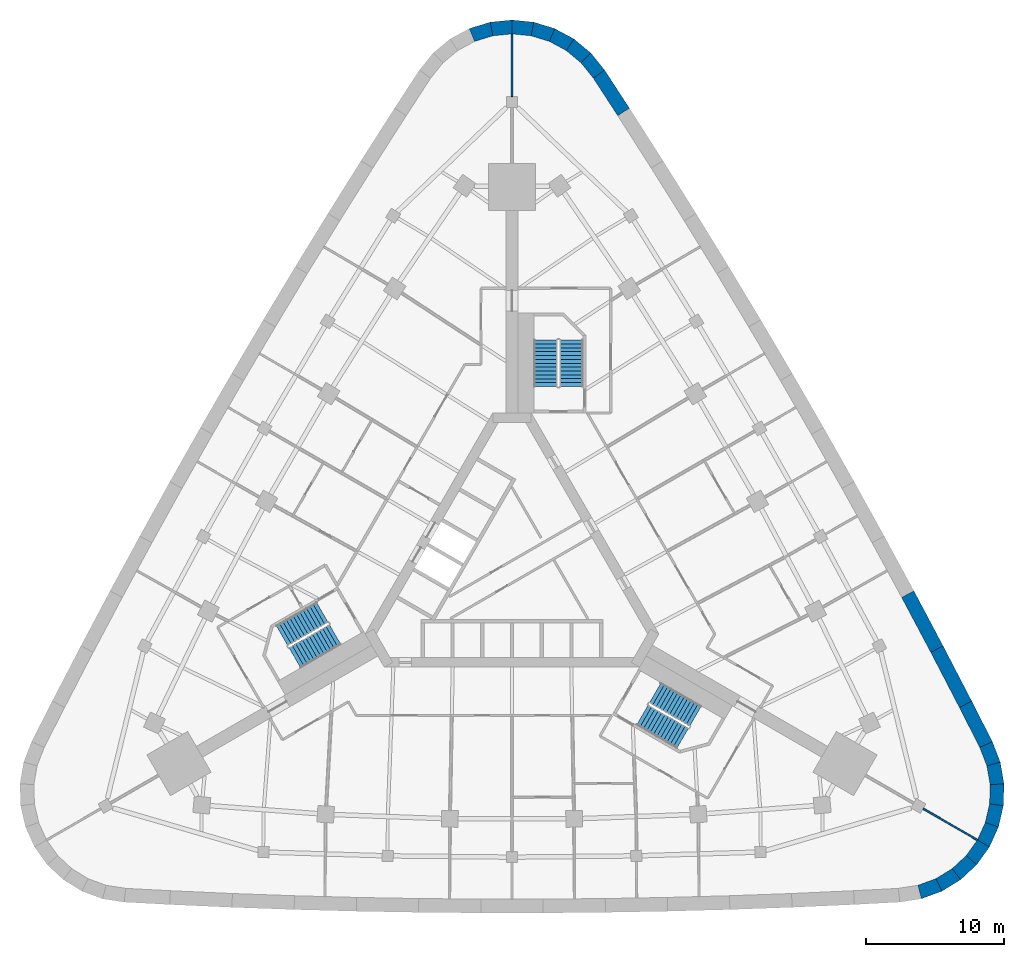
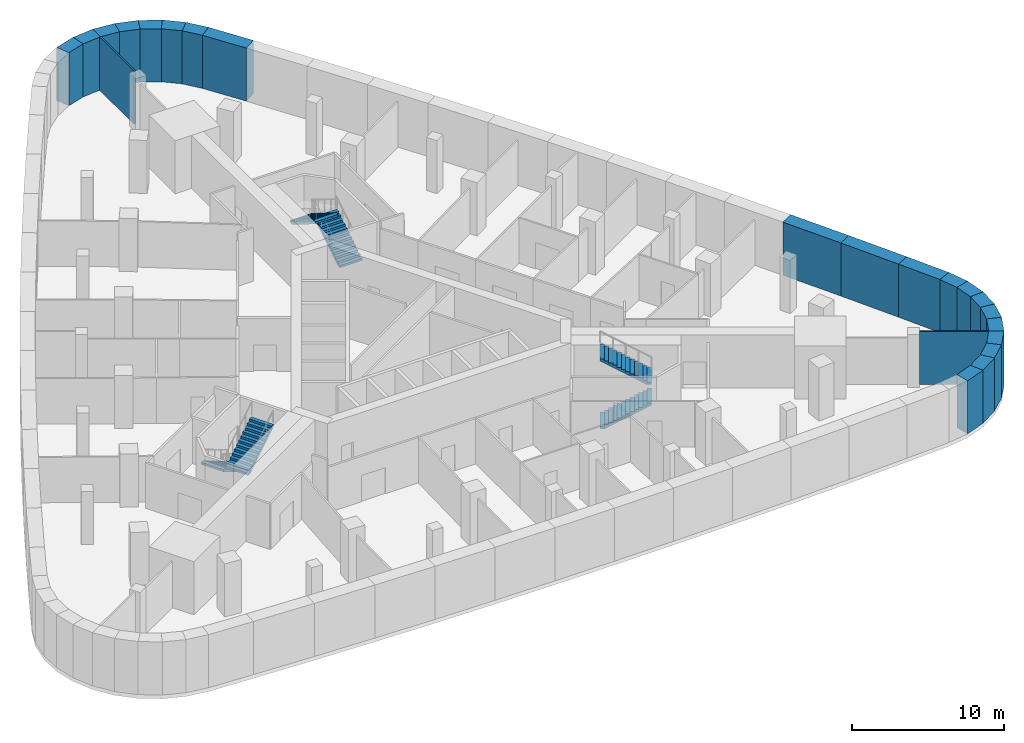
# One storey, part 8 of 9: 22 walls, 6 stair flights, 3 elements without a shape of their own.
"""IFC4 building model written with IfcOpenShell, lengths in metres."""

from ifc_helpers import new_model, si_unit, direction, frame, frame_2d, origin, place, context, subcontext, project, spatial, polyline, rectangle, outline, extrude, material, layer, layer_set, type_object, element, aggregate, save


model = new_model("IFC4")

# Units and contexts
model_context = context("Model", 3, precision=1e-05, world=origin(), true_north=direction((0.0, 1.0)))
body_context = subcontext(model_context, "Body", "Model", "MODEL_VIEW")
ifc_project = project(units=[si_unit("LENGTHUNIT", "METRE"), si_unit("AREAUNIT", "SQUARE_METRE"), si_unit("VOLUMEUNIT", "CUBIC_METRE"), si_unit("PLANEANGLEUNIT", "RADIAN"), si_unit("MASSUNIT", "GRAM", prefix="KILO")], contexts=[model_context])

# Site, building, storey
site_placement = place(None, origin())
site = spatial("IfcSite", under=ifc_project, at=site_placement, CompositionType="ELEMENT")
building_placement = place(site_placement, origin())
building = spatial("IfcBuilding", under=site, at=building_placement, Name="Noor Cloister Tower", CompositionType="ELEMENT")
storey_placement = place(building_placement, frame((0.0, 0.0, -4.5)))
storey = spatial("IfcBuildingStorey", under=building, at=storey_placement, Name="B1", CompositionType="ELEMENT", Elevation=-4.5)

# Walls
ifc_material_1 = material(Name="Concrete C50/60", Category="concrete")
ifc_layer_1 = layer(ifc_material_1, 1.0)
ifc_layer_set_1 = layer_set([ifc_layer_1], Name="Diaphragm wall 1000")
wall_type_1 = type_object("IfcWallType", Name="Diaphragm wall 1000", PredefinedType="SOLIDWALL", material=ifc_layer_set_1)
wall_1_placement = place(storey_placement, origin())
element("IfcWall", 1, at=wall_1_placement, inside=storey, type_object=wall_type_1, Name="Basement wall 01", PredefinedType="SOLIDWALL", context=body_context, shape_type="SweptSolid", body=[
    extrude(outline(polyline([(6.693603515625, 36.22509765625), (5.699462890625, 37.45751953125), (4.983642578125, 36.752197265625), (5.883056640625, 35.63720703125), (6.693603515625, 36.22509765625)])), origin(), (0.0, 0.0, 1.0), 4.25),
])
wall_2_placement = place(storey_placement, origin())
element("IfcWall", 2, at=wall_2_placement, inside=storey, type_object=wall_type_1, Name="Basement wall 02", PredefinedType="SOLIDWALL", context=body_context, shape_type="SweptSolid", body=[
    extrude(outline(polyline([(5.699462890625, 37.45751953125), (4.482177734375, 38.469970703125), (3.919189453125, 37.6376953125), (4.983642578125, 36.752197265625), (5.699462890625, 37.45751953125)])), origin(), (0.0, 0.0, 1.0), 4.25),
])
wall_3_placement = place(storey_placement, origin())
element("IfcWall", 3, at=wall_3_placement, inside=storey, type_object=wall_type_1, Name="Basement wall 03", PredefinedType="SOLIDWALL", context=body_context, shape_type="SweptSolid", body=[
    extrude(outline(polyline([(4.482177734375, 38.469970703125), (3.08935546875, 39.222900390625), (2.701416015625, 38.2958984375), (3.919189453125, 37.6376953125), (4.482177734375, 38.469970703125)])), origin(), (0.0, 0.0, 1.0), 4.25),
])
wall_4_placement = place(storey_placement, origin())
element("IfcWall", 4, at=wall_4_placement, inside=storey, type_object=wall_type_1, Name="Basement wall 04", PredefinedType="SOLIDWALL", context=body_context, shape_type="SweptSolid", body=[
    extrude(outline(polyline([(3.08935546875, 39.222900390625), (1.57568359375, 39.686767578125), (1.377685546875, 38.70166015625), (2.701416015625, 38.2958984375), (3.08935546875, 39.222900390625)])), origin(), (0.0, 0.0, 1.0), 4.25),
])
wall_5_placement = place(storey_placement, origin())
element("IfcWall", 5, at=wall_5_placement, inside=storey, type_object=wall_type_1, Name="Basement wall 05", PredefinedType="SOLIDWALL", context=body_context, shape_type="SweptSolid", body=[
    extrude(outline(polyline([(1.57568359375, 39.686767578125), (0.0, 39.843505859375), (0.0, 38.838623046875), (1.377685546875, 38.70166015625), (1.57568359375, 39.686767578125)])), origin(), (0.0, 0.0, 1.0), 4.25),
])
wall_6_placement = place(storey_placement, origin())
element("IfcWall", 6, at=wall_6_placement, inside=storey, type_object=wall_type_1, Name="Basement wall 06", PredefinedType="SOLIDWALL", context=body_context, shape_type="SweptSolid", body=[
    extrude(outline(polyline([(0.0, 39.843505859375), (-1.57568359375, 39.686767578125), (-1.377685546875, 38.70166015625), (0.0, 38.838623046875), (0.0, 39.843505859375)])), origin(), (0.0, 0.0, 1.0), 4.25),
])
wall_7_placement = place(storey_placement, origin())
element("IfcWall", 7, at=wall_7_placement, inside=storey, type_object=wall_type_1, Name="Basement wall 07", PredefinedType="SOLIDWALL", context=body_context, shape_type="SweptSolid", body=[
    extrude(outline(polyline([(-1.57568359375, 39.686767578125), (-3.08935546875, 39.222900390625), (-2.701416015625, 38.2958984375), (-1.377685546875, 38.70166015625), (-1.57568359375, 39.686767578125)])), origin(), (0.0, 0.0, 1.0), 4.25),
])
wall_8_placement = place(storey_placement, origin())
element("IfcWall", 8, at=wall_8_placement, inside=storey, type_object=wall_type_1, Name="Basement wall 48", PredefinedType="SOLIDWALL", context=body_context, shape_type="SweptSolid", body=[
    extrude(outline(polyline([(29.58935546875, -23.66455078125), (31.074951171875, -23.11669921875), (30.635498046875, -22.212890625), (29.336669921875, -22.69189453125), (29.58935546875, -23.66455078125)])), origin(), (0.0, 0.0, 1.0), 4.25),
])
wall_9_placement = place(storey_placement, origin())
element("IfcWall", 9, at=wall_9_placement, inside=storey, type_object=wall_type_1, Name="Basement wall 49", PredefinedType="SOLIDWALL", context=body_context, shape_type="SweptSolid", body=[
    extrude(outline(polyline([(31.074951171875, -23.11669921875), (32.42333984375, -22.287109375), (31.814697265625, -21.4873046875), (30.635498046875, -22.212890625), (31.074951171875, -23.11669921875)])), origin(), (0.0, 0.0, 1.0), 4.25),
])
wall_10_placement = place(storey_placement, origin())
element("IfcWall", 10, at=wall_10_placement, inside=storey, type_object=wall_type_1, Name="Basement wall 50", PredefinedType="SOLIDWALL", context=body_context, shape_type="SweptSolid", body=[
    extrude(outline(polyline([(32.42333984375, -22.287109375), (33.58203125, -21.2080078125), (32.827880859375, -20.5439453125), (31.814697265625, -21.4873046875), (32.42333984375, -22.287109375)])), origin(), (0.0, 0.0, 1.0), 4.25),
])
wall_11_placement = place(storey_placement, origin())
element("IfcWall", 11, at=wall_11_placement, inside=storey, type_object=wall_type_1, Name="Basement wall 51", PredefinedType="SOLIDWALL", context=body_context, shape_type="SweptSolid", body=[
    extrude(outline(polyline([(33.58203125, -21.2080078125), (34.505615234375, -19.921875), (33.63525390625, -19.41943359375), (32.827880859375, -20.5439453125), (33.58203125, -21.2080078125)])), origin(), (0.0, 0.0, 1.0), 4.25),
])
wall_12_placement = place(storey_placement, origin())
element("IfcWall", 12, at=wall_12_placement, inside=storey, type_object=wall_type_1, Name="Basement wall 52", PredefinedType="SOLIDWALL", context=body_context, shape_type="SweptSolid", body=[
    extrude(outline(polyline([(34.505615234375, -19.921875), (35.15771484375, -18.47900390625), (34.205322265625, -18.15771484375), (33.63525390625, -19.41943359375), (34.505615234375, -19.921875)])), origin(), (0.0, 0.0, 1.0), 4.25),
])
wall_13_placement = place(storey_placement, origin())
element("IfcWall", 13, at=wall_13_placement, inside=storey, type_object=wall_type_1, Name="Basement wall 53", PredefinedType="SOLIDWALL", context=body_context, shape_type="SweptSolid", body=[
    extrude(outline(polyline([(35.15771484375, -18.47900390625), (35.5126953125, -16.93603515625), (34.515869140625, -16.80859375), (34.205322265625, -18.15771484375), (35.15771484375, -18.47900390625)])), origin(), (0.0, 0.0, 1.0), 4.25),
])
wall_14_placement = place(storey_placement, origin())
element("IfcWall", 14, at=wall_14_placement, inside=storey, type_object=wall_type_1, Name="Basement wall 54", PredefinedType="SOLIDWALL", context=body_context, shape_type="SweptSolid", body=[
    extrude(outline(polyline([(35.5126953125, -16.93603515625), (35.55712890625, -15.353271484375), (34.5546875, -15.424560546875), (34.515869140625, -16.80859375), (35.5126953125, -16.93603515625)])), origin(), (0.0, 0.0, 1.0), 4.25),
])
wall_15_placement = place(storey_placement, origin())
element("IfcWall", 15, at=wall_15_placement, inside=storey, type_object=wall_type_1, Name="Basement wall 55", PredefinedType="SOLIDWALL", context=body_context, shape_type="SweptSolid", body=[
    extrude(outline(polyline([(35.55712890625, -15.353271484375), (35.288818359375, -13.792724609375), (34.320068359375, -14.060302734375), (34.5546875, -15.424560546875), (35.55712890625, -15.353271484375)])), origin(), (0.0, 0.0, 1.0), 4.25),
])
wall_16_placement = place(storey_placement, origin())
element("IfcWall", 16, at=wall_16_placement, inside=storey, type_object=wall_type_1, Name="Basement wall 56", PredefinedType="SOLIDWALL", context=body_context, shape_type="SweptSolid", body=[
    extrude(outline(polyline([(35.288818359375, -13.792724609375), (34.718505859375, -12.315673828125), (33.80419921875, -12.723876953125), (34.320068359375, -14.060302734375), (35.288818359375, -13.792724609375)])), origin(), (0.0, 0.0, 1.0), 4.25),
])
wall_17_placement = place(storey_placement, origin())
element("IfcWall", 17, at=wall_17_placement, inside=storey, type_object=wall_type_1, Name="Basement wall 57", PredefinedType="SOLIDWALL", context=body_context, shape_type="SweptSolid", body=[
    extrude(outline(polyline([(34.718505859375, -12.315673828125), (33.22607421875, -9.384033203125), (32.336669921875, -9.84130859375), (33.80419921875, -12.723876953125), (34.718505859375, -12.315673828125)])), origin(), (0.0, 0.0, 1.0), 4.25),
])
wall_18_placement = place(storey_placement, origin())
element("IfcWall", 18, at=wall_18_placement, inside=storey, type_object=wall_type_1, Name="Basement wall 58", PredefinedType="SOLIDWALL", context=body_context, shape_type="SweptSolid", body=[
    extrude(outline(polyline([(33.22607421875, -9.384033203125), (31.1533203125, -5.389892578125), (30.267822265625, -5.8544921875), (32.336669921875, -9.84130859375), (33.22607421875, -9.384033203125)])), origin(), (0.0, 0.0, 1.0), 4.25),
])
wall_19_placement = place(storey_placement, origin())
element("IfcWall", 19, at=wall_19_placement, inside=storey, type_object=wall_type_1, Name="Basement wall 59", PredefinedType="SOLIDWALL", context=body_context, shape_type="SweptSolid", body=[
    extrude(outline(polyline([(31.1533203125, -5.389892578125), (29.044921875, -1.41455078125), (28.16357421875, -1.886962890625), (30.267822265625, -5.8544921875), (31.1533203125, -5.389892578125)])), origin(), (0.0, 0.0, 1.0), 4.25),
])
wall_20_placement = place(storey_placement, origin())
element("IfcWall", 20, at=wall_20_placement, inside=storey, type_object=wall_type_1, Name="Basement wall 69", PredefinedType="SOLIDWALL", context=body_context, shape_type="SweptSolid", body=[
    extrude(outline(polyline([(8.486083984375, 33.466796875), (6.693603515625, 36.22509765625), (5.883056640625, 35.63720703125), (7.6455078125, 32.925048828125), (8.486083984375, 33.466796875)])), origin(), (0.0, 0.0, 1.0), 4.25),
])
ifc_material_2 = material(Name="Plasterboard on steel studs", Category="steel")
ifc_layer_2 = layer(ifc_material_2, 0.1201171875)
ifc_layer_set_2 = layer_set([ifc_layer_2], Name="Partition wall 120")
wall_type_2 = type_object("IfcWallType", Name="Partition wall 120", PredefinedType="PARTITIONING", material=ifc_layer_set_2)
wall_21_placement = place(storey_placement, frame((33.634033203125, -19.4189453125, 0.0), z_axis=(0.0, 0.0, 1.0), x_axis=(-0.866032814021, 0.499987164874, 0.0)))
element("IfcWall", 21, at=wall_21_placement, inside=storey, type_object=wall_type_2, Name="Partition", PredefinedType="PARTITIONING", context=body_context, shape_type="SweptSolid", body=[
    extrude(rectangle(XDim=4.52392578125, YDim=0.1201171875, at=frame_2d((2.261962890625, 0.0))), origin(), (0.0, 0.0, 1.0), 4.25),
])
wall_22_placement = place(storey_placement, frame((0.0, 34.31298828125, 0.0), z_axis=(0.0, 0.0, 1.0), x_axis=(0.0, 1.0, 0.0)))
element("IfcWall", 22, at=wall_22_placement, inside=storey, type_object=wall_type_2, Name="Partition", PredefinedType="PARTITIONING", context=body_context, shape_type="SweptSolid", body=[
    extrude(rectangle(XDim=4.526123046875, YDim=0.1201171875, at=frame_2d((2.26318359375, 0.0))), origin(), (0.0, 0.0, 1.0), 4.25),
])

# Stair, stair flights
ifc_material_3 = material(Name="Concrete C40/50", Category="concrete")
stair_type = type_object("IfcStairType", Name="Exit stair 26 risers", PredefinedType="HALF_TURN_STAIR", material=ifc_material_3)
stair_1_placement = place(storey_placement, origin())
stair_1 = element("IfcStair", 23, at=stair_1_placement, inside=storey, type_object=stair_type, Name="Exit stair ST1 B1", PredefinedType="HALF_TURN_STAIR")
ifc_material_4 = material(Name="Concrete C40/50", Category="concrete")
stair_flight_type = type_object("IfcStairFlightType", Name="Exit stair flight", PredefinedType="STRAIGHT", material=ifc_material_4)
stair_flight_1_placement = place(storey_placement, frame((4.28564453125, 13.3564453125, 0.0), z_axis=(0.0, 0.0, 1.0), x_axis=(0.0, 1.0, 0.0)))
stair_flight_1 = element("IfcStairFlight", 24, at=stair_flight_1_placement, type_object=stair_flight_type, Name="ST1 flight 1", NumberOfRisers=13, NumberOfTreads=12, PredefinedType="STRAIGHT", RiserHeight=0.173076923, TreadLength=0.28, context=body_context, shape_type="SweptSolid", body=[
    extrude(outline(polyline([(0.0, 0.0), (0.0, 0.173095703125), (0.280029296875, 0.173095703125), (0.280029296875, 0.34619140625), (0.56005859375, 0.34619140625), (0.56005859375, 0.519287109375), (0.840087890625, 0.519287109375), (0.840087890625, 0.6923828125), (1.1201171875, 0.6923828125), (1.1201171875, 0.865478515625), (1.39990234375, 0.865478515625), (1.39990234375, 1.03857421875), (1.679931640625, 1.03857421875), (1.679931640625, 1.21142578125), (1.9599609375, 1.21142578125), (1.9599609375, 1.384521484375), (2.239990234375, 1.384521484375), (2.239990234375, 1.5576171875), (2.52001953125, 1.5576171875), (2.52001953125, 1.730712890625), (2.800048828125, 1.730712890625), (2.800048828125, 1.90380859375), (3.080078125, 1.90380859375), (3.080078125, 2.076904296875), (3.360107421875, 2.076904296875), (3.360107421875, 2.25), (3.360107421875, 1.900634765625), (0.28515625, 0.0), (0.0, 0.0)])), frame((0.0, 0.85009765625, 0.0), z_axis=(0.0, -1.0, 0.0), x_axis=(1.0, 0.0, 0.0)), (0.0, 0.0, 1.0), 1.699951171875),
])
stair_flight_2_placement = place(storey_placement, frame((2.435546875, 16.71630859375, 2.25), z_axis=(0.0, 0.0, 1.0), x_axis=(0.0, -1.0, 0.0)))
stair_flight_2 = element("IfcStairFlight", 25, at=stair_flight_2_placement, type_object=stair_flight_type, Name="ST1 flight 2", NumberOfRisers=13, NumberOfTreads=12, PredefinedType="STRAIGHT", RiserHeight=0.173076923, TreadLength=0.28, context=body_context, shape_type="SweptSolid", body=[
    extrude(outline(polyline([(0.0, 0.0), (0.0, 0.173095703125), (0.280029296875, 0.173095703125), (0.280029296875, 0.34619140625), (0.56005859375, 0.34619140625), (0.56005859375, 0.519287109375), (0.840087890625, 0.519287109375), (0.840087890625, 0.6923828125), (1.1201171875, 0.6923828125), (1.1201171875, 0.865478515625), (1.39990234375, 0.865478515625), (1.39990234375, 1.03857421875), (1.679931640625, 1.03857421875), (1.679931640625, 1.21142578125), (1.9599609375, 1.21142578125), (1.9599609375, 1.384521484375), (2.239990234375, 1.384521484375), (2.239990234375, 1.5576171875), (2.52001953125, 1.5576171875), (2.52001953125, 1.730712890625), (2.800048828125, 1.730712890625), (2.800048828125, 1.90380859375), (3.080078125, 1.90380859375), (3.080078125, 2.076904296875), (3.360107421875, 2.076904296875), (3.360107421875, 2.25), (3.360107421875, 1.900634765625), (0.28515625, 0.0), (0.0, 0.0)])), frame((0.0, 0.85009765625, 0.0), z_axis=(0.0, -1.0, 0.0), x_axis=(1.0, 0.0, 0.0)), (0.0, 0.0, 1.0), 1.699951171875),
])
aggregate(stair_1, [stair_flight_1, stair_flight_2])

stair_2_placement = place(storey_placement, origin())
stair_2 = element("IfcStair", 26, at=stair_2_placement, inside=storey, type_object=stair_type, Name="Exit stair ST2 B1", PredefinedType="HALF_TURN_STAIR")
stair_flight_3_placement = place(storey_placement, frame((-13.709716796875, -2.966796875, 0.0), z_axis=(0.0, 0.0, 1.0), x_axis=(-0.866025403784, -0.5, 0.0)))
stair_flight_3 = element("IfcStairFlight", 27, at=stair_flight_3_placement, type_object=stair_flight_type, Name="ST2 flight 1", NumberOfRisers=13, NumberOfTreads=12, PredefinedType="STRAIGHT", RiserHeight=0.173076923, TreadLength=0.28, context=body_context, shape_type="SweptSolid", body=[
    extrude(outline(polyline([(0.0, 0.0), (0.0, 0.173095703125), (0.280029296875, 0.173095703125), (0.280029296875, 0.34619140625), (0.56005859375, 0.34619140625), (0.56005859375, 0.519287109375), (0.840087890625, 0.519287109375), (0.840087890625, 0.6923828125), (1.1201171875, 0.6923828125), (1.1201171875, 0.865478515625), (1.39990234375, 0.865478515625), (1.39990234375, 1.03857421875), (1.679931640625, 1.03857421875), (1.679931640625, 1.21142578125), (1.9599609375, 1.21142578125), (1.9599609375, 1.384521484375), (2.239990234375, 1.384521484375), (2.239990234375, 1.5576171875), (2.52001953125, 1.5576171875), (2.52001953125, 1.730712890625), (2.800048828125, 1.730712890625), (2.800048828125, 1.90380859375), (3.080078125, 1.90380859375), (3.080078125, 2.076904296875), (3.360107421875, 2.076904296875), (3.360107421875, 2.25), (3.360107421875, 1.900634765625), (0.28515625, 0.0), (0.0, 0.0)])), frame((0.0, 0.85009765625, 0.0), z_axis=(0.0, -1.0, 0.0), x_axis=(1.0, 0.0, 0.0)), (0.0, 0.0, 1.0), 1.699951171875),
])
stair_flight_4_placement = place(storey_placement, frame((-15.694580078125, -6.248779296875, 2.25), z_axis=(0.0, 0.0, 1.0), x_axis=(0.866025403784, 0.5, 0.0)))
stair_flight_4 = element("IfcStairFlight", 28, at=stair_flight_4_placement, type_object=stair_flight_type, Name="ST2 flight 2", NumberOfRisers=13, NumberOfTreads=12, PredefinedType="STRAIGHT", RiserHeight=0.173076923, TreadLength=0.28, context=body_context, shape_type="SweptSolid", body=[
    extrude(outline(polyline([(0.0, 0.0), (0.0, 0.173095703125), (0.280029296875, 0.173095703125), (0.280029296875, 0.34619140625), (0.56005859375, 0.34619140625), (0.56005859375, 0.519287109375), (0.840087890625, 0.519287109375), (0.840087890625, 0.6923828125), (1.1201171875, 0.6923828125), (1.1201171875, 0.865478515625), (1.39990234375, 0.865478515625), (1.39990234375, 1.03857421875), (1.679931640625, 1.03857421875), (1.679931640625, 1.21142578125), (1.9599609375, 1.21142578125), (1.9599609375, 1.384521484375), (2.239990234375, 1.384521484375), (2.239990234375, 1.5576171875), (2.52001953125, 1.5576171875), (2.52001953125, 1.730712890625), (2.800048828125, 1.730712890625), (2.800048828125, 1.90380859375), (3.080078125, 1.90380859375), (3.080078125, 2.076904296875), (3.360107421875, 2.076904296875), (3.360107421875, 2.25), (3.360107421875, 1.900634765625), (0.28515625, 0.0), (0.0, 0.0)])), frame((0.0, 0.85009765625, 0.0), z_axis=(0.0, -1.0, 0.0), x_axis=(1.0, 0.0, 0.0)), (0.0, 0.0, 1.0), 1.699951171875),
])
aggregate(stair_2, [stair_flight_3, stair_flight_4])

stair_3_placement = place(storey_placement, origin())
stair_3 = element("IfcStair", 29, at=stair_3_placement, inside=storey, type_object=stair_type, Name="Exit stair ST3 B1", PredefinedType="HALF_TURN_STAIR")
stair_flight_5_placement = place(storey_placement, frame((9.424072265625, -10.3896484375, 0.0), z_axis=(0.0, 0.0, 1.0), x_axis=(0.866025403784, -0.5, 0.0)))
stair_flight_5 = element("IfcStairFlight", 30, at=stair_flight_5_placement, type_object=stair_flight_type, Name="ST3 flight 1", NumberOfRisers=13, NumberOfTreads=12, PredefinedType="STRAIGHT", RiserHeight=0.173076923, TreadLength=0.28, context=body_context, shape_type="SweptSolid", body=[
    extrude(outline(polyline([(0.0, 0.0), (0.0, 0.173095703125), (0.280029296875, 0.173095703125), (0.280029296875, 0.34619140625), (0.56005859375, 0.34619140625), (0.56005859375, 0.519287109375), (0.840087890625, 0.519287109375), (0.840087890625, 0.6923828125), (1.1201171875, 0.6923828125), (1.1201171875, 0.865478515625), (1.39990234375, 0.865478515625), (1.39990234375, 1.03857421875), (1.679931640625, 1.03857421875), (1.679931640625, 1.21142578125), (1.9599609375, 1.21142578125), (1.9599609375, 1.384521484375), (2.239990234375, 1.384521484375), (2.239990234375, 1.5576171875), (2.52001953125, 1.5576171875), (2.52001953125, 1.730712890625), (2.800048828125, 1.730712890625), (2.800048828125, 1.90380859375), (3.080078125, 1.90380859375), (3.080078125, 2.076904296875), (3.360107421875, 2.076904296875), (3.360107421875, 2.25), (3.360107421875, 1.900634765625), (0.28515625, 0.0), (0.0, 0.0)])), frame((0.0, 0.85009765625, 0.0), z_axis=(0.0, -1.0, 0.0), x_axis=(1.0, 0.0, 0.0)), (0.0, 0.0, 1.0), 1.699951171875),
])
stair_flight_6_placement = place(storey_placement, frame((13.259033203125, -10.467529296875, 2.25), z_axis=(0.0, 0.0, 1.0), x_axis=(-0.866025403784, 0.5, 0.0)))
stair_flight_6 = element("IfcStairFlight", 31, at=stair_flight_6_placement, type_object=stair_flight_type, Name="ST3 flight 2", NumberOfRisers=13, NumberOfTreads=12, PredefinedType="STRAIGHT", RiserHeight=0.173076923, TreadLength=0.28, context=body_context, shape_type="SweptSolid", body=[
    extrude(outline(polyline([(0.0, 0.0), (0.0, 0.173095703125), (0.280029296875, 0.173095703125), (0.280029296875, 0.34619140625), (0.56005859375, 0.34619140625), (0.56005859375, 0.519287109375), (0.840087890625, 0.519287109375), (0.840087890625, 0.6923828125), (1.1201171875, 0.6923828125), (1.1201171875, 0.865478515625), (1.39990234375, 0.865478515625), (1.39990234375, 1.03857421875), (1.679931640625, 1.03857421875), (1.679931640625, 1.21142578125), (1.9599609375, 1.21142578125), (1.9599609375, 1.384521484375), (2.239990234375, 1.384521484375), (2.239990234375, 1.5576171875), (2.52001953125, 1.5576171875), (2.52001953125, 1.730712890625), (2.800048828125, 1.730712890625), (2.800048828125, 1.90380859375), (3.080078125, 1.90380859375), (3.080078125, 2.076904296875), (3.360107421875, 2.076904296875), (3.360107421875, 2.25), (3.360107421875, 1.900634765625), (0.28515625, 0.0), (0.0, 0.0)])), frame((0.0, 0.85009765625, 0.0), z_axis=(0.0, -1.0, 0.0), x_axis=(1.0, 0.0, 0.0)), (0.0, 0.0, 1.0), 1.699951171875),
])
aggregate(stair_3, [stair_flight_5, stair_flight_6])

save(model, "model.ifc")
